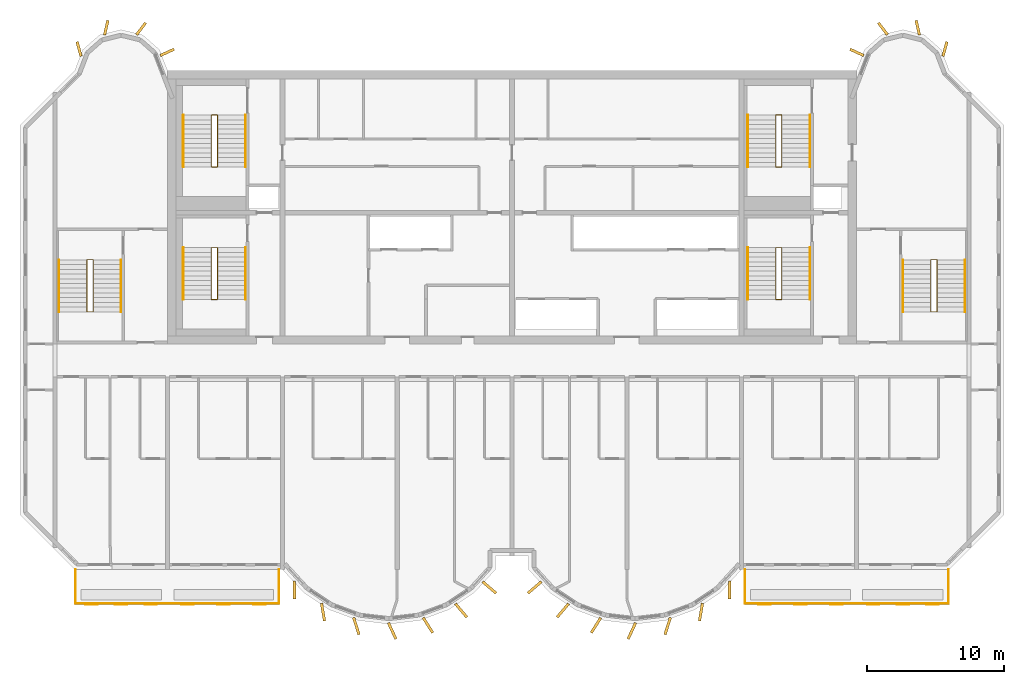
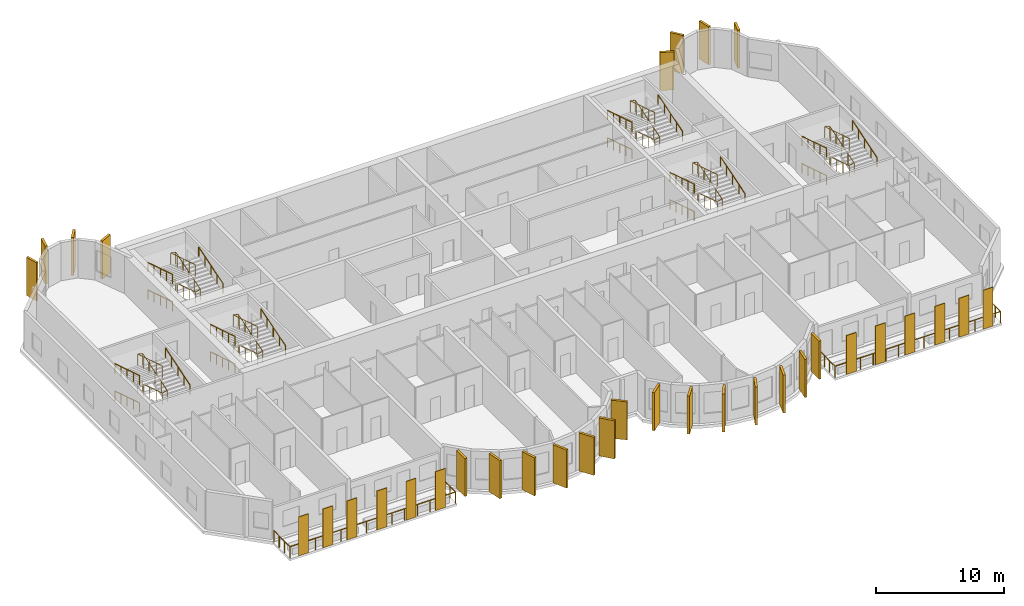
# One storey, part 10 of 11: 34 coverings, 26 railings.
"""IFC4 building model written with IfcOpenShell, lengths in metres."""

from ifc_helpers import new_model, si_unit, direction, frame, origin, origin_2d, place, context, subcontext, project, spatial, rectangle, circle, extrude, source, transform, mapped, material, layer, layer_set, material_profile, profile_set, type_object, element, save


model = new_model("IFC4")

# Units and contexts
model_context = context("Model", 3, precision=1e-05, world=origin(), true_north=direction((0.0, 1.0)))
body_context = subcontext(model_context, "Body", "Model", "MODEL_VIEW")
ifc_project = project(units=[si_unit("LENGTHUNIT", "METRE"), si_unit("AREAUNIT", "SQUARE_METRE"), si_unit("VOLUMEUNIT", "CUBIC_METRE"), si_unit("PLANEANGLEUNIT", "RADIAN"), si_unit("MASSUNIT", "GRAM", prefix="KILO")], contexts=[model_context])

# Site, building, storey
site_placement = place(None, origin())
site = spatial("IfcSite", under=ifc_project, at=site_placement, CompositionType="ELEMENT")
building_placement = place(site_placement, origin())
building = spatial("IfcBuilding", under=site, at=building_placement, Name="Vanashikhar Sky Hotel", CompositionType="ELEMENT")
storey_placement = place(building_placement, frame((0.0, 0.0, 256.89990234375)))
storey = spatial("IfcBuildingStorey", under=building, at=storey_placement, Name="L62", CompositionType="ELEMENT", Elevation=256.89990234375)

# Railings
ifc_material_1 = material(Name="Stainless steel 316", Category="steel")
railing_type_1 = type_object("IfcRailingType", Name="Balcony guard 1100", PredefinedType="GUARDRAIL", material=ifc_material_1)
shared_shape_1 = source(origin(), body_context, "Body", "SweptSolid", [
    extrude(circle(Radius=0.02392578125, at=origin_2d()), frame((0.0, 0.0, 1.076171875), z_axis=(0.0, -1.0, 0.0), x_axis=(1.0, 0.0, 0.0)), (0.0, 0.0, 1.0), 2.5),
    extrude(circle(Radius=0.02392578125, at=origin_2d()), frame((0.0, -2.5, 1.076171875), z_axis=(1.0, 0.0, 0.0), x_axis=(0.0, 1.0, 0.0)), (0.0, 0.0, 1.0), 14.880126953125),
    extrude(circle(Radius=0.02392578125, at=origin_2d()), frame((14.880126953125, -2.5, 1.076171875), z_axis=(0.0, 1.0, 0.0), x_axis=(-1.0, 0.0, 0.0)), (0.0, 0.0, 1.0), 2.5),
    extrude(circle(Radius=0.02099609375, at=origin_2d()), origin(), (0.0, 0.0, 1.0), 1.052001953125),
    extrude(circle(Radius=0.02099609375, at=origin_2d()), frame((0.0, -0.833251953125, 0.0)), (0.0, 0.0, 1.0), 1.052001953125),
    extrude(circle(Radius=0.02099609375, at=origin_2d()), frame((0.0, -1.666748046875, 0.0)), (0.0, 0.0, 1.0), 1.052001953125),
    extrude(circle(Radius=0.02099609375, at=origin_2d()), frame((0.0, -2.5, 0.0)), (0.0, 0.0, 1.0), 1.052001953125),
    extrude(circle(Radius=0.02099609375, at=origin_2d()), frame((1.14453125, -2.5, 0.0)), (0.0, 0.0, 1.0), 1.052001953125),
    extrude(circle(Radius=0.02099609375, at=origin_2d()), frame((2.289306640625, -2.5, 0.0)), (0.0, 0.0, 1.0), 1.052001953125),
    extrude(circle(Radius=0.02099609375, at=origin_2d()), frame((3.433837890625, -2.5, 0.0)), (0.0, 0.0, 1.0), 1.052001953125),
    extrude(circle(Radius=0.02099609375, at=origin_2d()), frame((4.57861328125, -2.5, 0.0)), (0.0, 0.0, 1.0), 1.052001953125),
    extrude(circle(Radius=0.02099609375, at=origin_2d()), frame((5.72314453125, -2.5, 0.0)), (0.0, 0.0, 1.0), 1.052001953125),
    extrude(circle(Radius=0.02099609375, at=origin_2d()), frame((6.86767578125, -2.5, 0.0)), (0.0, 0.0, 1.0), 1.052001953125),
    extrude(circle(Radius=0.02099609375, at=origin_2d()), frame((8.012451171875, -2.5, 0.0)), (0.0, 0.0, 1.0), 1.052001953125),
    extrude(circle(Radius=0.02099609375, at=origin_2d()), frame((9.156982421875, -2.5, 0.0)), (0.0, 0.0, 1.0), 1.052001953125),
    extrude(circle(Radius=0.02099609375, at=origin_2d()), frame((10.301513671875, -2.5, 0.0)), (0.0, 0.0, 1.0), 1.052001953125),
    extrude(circle(Radius=0.02099609375, at=origin_2d()), frame((11.4462890625, -2.5, 0.0)), (0.0, 0.0, 1.0), 1.052001953125),
    extrude(circle(Radius=0.02099609375, at=origin_2d()), frame((12.5908203125, -2.5, 0.0)), (0.0, 0.0, 1.0), 1.052001953125),
    extrude(circle(Radius=0.02099609375, at=origin_2d()), frame((13.735595703125, -2.5, 0.0)), (0.0, 0.0, 1.0), 1.052001953125),
    extrude(circle(Radius=0.02099609375, at=origin_2d()), frame((14.880126953125, -2.5, 0.0)), (0.0, 0.0, 1.0), 1.052001953125),
    extrude(circle(Radius=0.02099609375, at=origin_2d()), frame((14.880126953125, -1.666748046875, 0.0)), (0.0, 0.0, 1.0), 1.052001953125),
    extrude(circle(Radius=0.02099609375, at=origin_2d()), frame((14.880126953125, -0.833251953125, 0.0)), (0.0, 0.0, 1.0), 1.052001953125),
    extrude(circle(Radius=0.02099609375, at=origin_2d()), frame((14.880126953125, 0.0, 0.0)), (0.0, 0.0, 1.0), 1.052001953125),
])
for number, where, name in (
    (1, (18.4599609375, 5.5, -0.0498046875), "Balcony guard"),
    (2, (67.4599609375, 5.5, -0.0498046875), "Balcony guard"),
):
    element("IfcRailing", number, at=place(storey_placement, frame(where)), inside=storey, type_object=railing_type_1, Name=name, PredefinedType="GUARDRAIL", context=body_context, shape_type="MappedRepresentation", body=[
        mapped(shared_shape_1, transform((0.0, 0.0, 0.0), scale=1.0)),
    ])

# Coverings
ifc_material_2 = material(Name="Terracotta", Category="masonry")
ifc_layer = layer(ifc_material_2, 0.06005859375)
ifc_layer_set = layer_set([ifc_layer], Name="Terracotta baguette screen")
covering_type_1 = type_object("IfcCoveringType", Name="Terracotta baguette screen", PredefinedType="CLADDING", material=ifc_layer_set)
shared_shape_2 = source(origin(), body_context, "Body", "SweptSolid", [
    extrude(rectangle(XDim=0.89990234375, YDim=0.06005859375, at=origin_2d()), origin(), (0.0, 0.0, 1.0), 3.699951171875),
])
for number, where, z_axis, x_axis, name in (
    (3, (19.63330078125, 2.929931640625, -0.0498046875), (0.0, 0.0, 1.0), (1.0, 0.0, 0.0), "Terracotta screen"),
    (4, (21.800048828125, 2.929931640625, -0.0498046875), (0.0, 0.0, 1.0), (1.0, 0.0, 0.0), "Terracotta screen"),
    (5, (23.966796875, 2.929931640625, -0.0498046875), (0.0, 0.0, 1.0), (1.0, 0.0, 0.0), "Terracotta screen"),
    (6, (26.666748046875, 2.929931640625, -0.0498046875), (0.0, 0.0, 1.0), (1.0, 0.0, 0.0), "Terracotta screen"),
    (7, (29.300048828125, 2.929931640625, -0.0498046875), (0.0, 0.0, 1.0), (1.0, 0.0, 0.0), "Terracotta screen"),
    (8, (31.933349609375, 2.929931640625, -0.0498046875), (0.0, 0.0, 1.0), (1.0, 0.0, 0.0), "Terracotta screen"),
    (9, (68.86669921875, 2.929931640625, -0.0498046875), (0.0, 0.0, 1.0), (1.0, 0.0, 0.0), "Terracotta screen"),
    (10, (71.5, 2.929931640625, -0.0498046875), (0.0, 0.0, 1.0), (1.0, 0.0, 0.0), "Terracotta screen"),
    (11, (74.13330078125, 2.929931640625, -0.0498046875), (0.0, 0.0, 1.0), (1.0, 0.0, 0.0), "Terracotta screen"),
    (12, (76.833251953125, 2.929931640625, -0.0498046875), (0.0, 0.0, 1.0), (1.0, 0.0, 0.0), "Terracotta screen"),
    (13, (79.0, 2.929931640625, -0.0498046875), (0.0, 0.0, 1.0), (1.0, 0.0, 0.0), "Terracotta screen"),
    (14, (81.166748046875, 2.929931640625, -0.0498046875), (0.0, 0.0, 1.0), (1.0, 0.0, 0.0), "Terracotta screen"),
):
    element("IfcCovering", number, at=place(storey_placement, frame(where, z_axis=z_axis, x_axis=x_axis)), inside=storey, type_object=covering_type_1, Name=name, PredefinedType="CLADDING", context=body_context, shape_type="MappedRepresentation", body=[
        mapped(shared_shape_2, transform((0.0, 0.0, 0.0), scale=1.0)),
    ])
ifc_material_3 = material(Name="Concrete M60 dark", Category="concrete")
ifc_material_profile_1 = material_profile(ifc_material_3, rectangle(XDim=1.300048828125, YDim=0.199951171875, at=origin_2d()))
ifc_profile_set_1 = profile_set([ifc_material_profile_1], Name="Fin 1300 x 200")
covering_type_2 = type_object("IfcCoveringType", Name="Fin 1300 x 200", PredefinedType="CLADDING", material=ifc_profile_set_1)
shared_shape_3 = source(origin(), body_context, "Body", "SweptSolid", [
    extrude(rectangle(XDim=1.300048828125, YDim=0.199951171875, at=origin_2d()), origin(), (0.0, 0.0, 1.0), 3.6201171875),
])
for number, where, z_axis, x_axis, name in (
    (15, (34.482421875, 3.992919921875, 0.0), (0.0, 0.0, 1.0), (0.011588726826, -0.999932848451, 0.0), "Fin F1-1"),
    (16, (36.572509765625, 2.3779296875, 0.0), (0.0, 0.0, 1.0), (0.16989991575, -0.985461322746, 0.0), "Fin F1-2"),
    (17, (39.00830078125, 1.35693359375, 0.0), (0.0, 0.0, 1.0), (0.303966551867, -0.952682704444, 0.0), "Fin F1-3"),
    (18, (41.63232421875, 1.00146484375, 0.0), (0.0, 0.0, 1.0), (0.422618261741, -0.906307787037, 0.0), "Fin F1-4"),
    (19, (44.251953125, 1.416015625, 0.0), (0.0, 0.0, 1.0), (0.534411358496, -0.845224526331, 0.0), "Fin F1-5"),
    (20, (46.676025390625, 2.5, 0.0), (0.0, 0.0, 1.0), (0.645697609467, -0.763593214433, 0.0), "Fin F1-6"),
    (21, (48.7412109375, 4.1845703125, 0.0), (0.0, 0.0, 1.0), (0.758543912032, -0.65162192529, 0.0), "Fin F1-7"),
    (22, (52.058837890625, 4.1845703125, 0.0), (0.0, 0.0, 1.0), (-0.758543912032, -0.65162192529, 0.0), "Fin F2-1"),
    (23, (54.123779296875, 2.5, 0.0), (0.0, 0.0, 1.0), (-0.645697609467, -0.763593214433, 0.0), "Fin F2-2"),
    (24, (56.547119140625, 1.416015625, 0.0), (0.0, 0.0, 1.0), (-0.534411358496, -0.845224526331, 0.0), "Fin F2-3"),
    (25, (59.16748046875, 1.00146484375, 0.0), (0.0, 0.0, 1.0), (-0.422618261741, -0.906307787037, 0.0), "Fin F2-4"),
    (26, (61.790771484375, 1.35693359375, 0.0), (0.0, 0.0, 1.0), (-0.303966551867, -0.952682704444, 0.0), "Fin F2-5"),
    (27, (64.2275390625, 2.3779296875, 0.0), (0.0, 0.0, 1.0), (-0.16989991575, -0.985461322746, 0.0), "Fin F2-6"),
    (28, (66.317626953125, 3.992919921875, 0.0), (0.0, 0.0, 1.0), (-0.011588726826, -0.999932848451, 0.0), "Fin F2-7"),
):
    element("IfcCovering", number, at=place(storey_placement, frame(where, z_axis=z_axis, x_axis=x_axis)), inside=storey, type_object=covering_type_2, Name=name, PredefinedType="CLADDING", context=body_context, shape_type="MappedRepresentation", body=[
        mapped(shared_shape_3, transform((0.0, 0.0, 0.0), scale=1.0)),
    ])
ifc_material_profile_2 = material_profile(ifc_material_3, rectangle(XDim=1.10009765625, YDim=0.199951171875, at=origin_2d()))
ifc_profile_set_2 = profile_set([ifc_material_profile_2], Name="Rear lobe fin 1100 x 200")
covering_type_3 = type_object("IfcCoveringType", Name="Rear lobe fin 1100 x 200", PredefinedType="CLADDING", material=ifc_profile_set_2)
shared_shape_4 = source(origin(), body_context, "Body", "SweptSolid", [
    extrude(rectangle(XDim=1.10009765625, YDim=0.199951171875, at=origin_2d()), origin(), (0.0, 0.0, 1.0), 3.6201171875),
])
for number, where, z_axis, x_axis, name in (
    (29, (18.720703125, 43.580078125, 0.0), (0.0, 0.0, 1.0), (-0.262711264409, 0.964874495234, 0.0), "Fin R1-1"),
    (30, (20.710205078125, 45.1455078125, 0.0), (0.0, 0.0, 1.0), (0.224644935864, 0.974440687159, 0.0), "Fin R1-2"),
    (31, (23.261962890625, 45.06640625, 0.0), (0.0, 0.0, 1.0), (0.602065892195, 0.798446404874, 0.0), "Fin R1-3"),
    (32, (25.169677734375, 43.33447265625, 0.0), (0.0, 0.0, 1.0), (0.908004291068, 0.418960866193, 0.0), "Fin R1-4"),
    (33, (75.63037109375, 43.33447265625, 0.0), (0.0, 0.0, 1.0), (-0.908004291068, 0.418960866193, 0.0), "Fin R2-1"),
    (34, (77.5380859375, 45.06640625, 0.0), (0.0, 0.0, 1.0), (-0.602065892195, 0.798446404874, 0.0), "Fin R2-2"),
    (35, (80.08984375, 45.1455078125, 0.0), (0.0, 0.0, 1.0), (-0.224644935864, 0.974440687159, 0.0), "Fin R2-3"),
    (36, (82.0791015625, 43.580078125, 0.0), (0.0, 0.0, 1.0), (0.262711264409, 0.964874495234, 0.0), "Fin R2-4"),
):
    element("IfcCovering", number, at=place(storey_placement, frame(where, z_axis=z_axis, x_axis=x_axis)), inside=storey, type_object=covering_type_3, Name=name, PredefinedType="CLADDING", context=body_context, shape_type="MappedRepresentation", body=[
        mapped(shared_shape_4, transform((0.0, 0.0, 0.0), scale=1.0)),
    ])

# Railings
ifc_material_4 = material(Name="Steel S355", Category="steel")
railing_type_2 = type_object("IfcRailingType", Name="Stair handrail 900", PredefinedType="HANDRAIL", material=ifc_material_4)
shared_shape_5 = source(origin(), body_context, "Body", "SweptSolid", [
    extrude(circle(Radius=0.02392578125, at=origin_2d()), frame((0.0, 0.0, 0.8759765625), z_axis=(0.0, 0.95418390146, 0.299220791714), x_axis=(-1.0, 0.0, 0.0)), (0.0, 0.0, 1.0), 3.982421875),
    extrude(circle(Radius=0.02099609375, at=origin_2d()), origin(), (0.0, 0.0, 1.0), 0.851806640625),
    extrude(circle(Radius=0.02099609375, at=origin_2d()), frame((0.0, 0.949951171875, 0.2978515625)), (0.0, 0.0, 1.0), 0.851806640625),
    extrude(circle(Radius=0.02099609375, at=origin_2d()), frame((0.0, 1.89990234375, 0.595703125)), (0.0, 0.0, 1.0), 0.851806640625),
    extrude(circle(Radius=0.02099609375, at=origin_2d()), frame((0.0, 2.85009765625, 0.893798828125)), (0.0, 0.0, 1.0), 0.851806640625),
    extrude(circle(Radius=0.02099609375, at=origin_2d()), frame((0.0, 3.800048828125, 1.191650390625)), (0.0, 0.0, 1.0), 0.851806640625),
])
for number, where, name in (
    (37, (30.89990234375, 25.25, 1.408447265625), "Exit stair 1 handrail"),
    (38, (72.199951171875, 25.25, 1.408447265625), "Exit stair 2 handrail"),
    (39, (30.89990234375, 34.949951171875, 1.408447265625), "Exit stair 5 handrail"),
    (40, (72.199951171875, 34.949951171875, 1.408447265625), "Exit stair 6 handrail"),
):
    element("IfcRailing", number, at=place(storey_placement, frame(where)), inside=storey, type_object=railing_type_2, Name=name, PredefinedType="HANDRAIL", context=body_context, shape_type="MappedRepresentation", body=[
        mapped(shared_shape_5, transform((0.0, 0.0, 0.0), scale=1.0)),
    ])
shared_shape_6 = source(origin(), body_context, "Body", "SweptSolid", [
    extrude(circle(Radius=0.02392578125, at=origin_2d()), frame((0.0, 0.0, 0.8759765625), z_axis=(0.0, -0.95418390146, 0.299220791714), x_axis=(1.0, 0.0, 0.0)), (0.0, 0.0, 1.0), 3.982421875),
    extrude(circle(Radius=0.02099609375, at=origin_2d()), origin(), (0.0, 0.0, 1.0), 0.851806640625),
    extrude(circle(Radius=0.02099609375, at=origin_2d()), frame((0.0, -0.949951171875, 0.2978515625)), (0.0, 0.0, 1.0), 0.851806640625),
    extrude(circle(Radius=0.02099609375, at=origin_2d()), frame((0.0, -1.89990234375, 0.595703125)), (0.0, 0.0, 1.0), 0.851806640625),
    extrude(circle(Radius=0.02099609375, at=origin_2d()), frame((0.0, -2.85009765625, 0.893798828125)), (0.0, 0.0, 1.0), 0.851806640625),
    extrude(circle(Radius=0.02099609375, at=origin_2d()), frame((0.0, -3.800048828125, 1.191650390625)), (0.0, 0.0, 1.0), 0.851806640625),
])
for number, where, name in (
    (41, (26.35009765625, 29.050048828125, 0.1083984375), "Exit stair 1 handrail"),
    (42, (26.35009765625, 29.050048828125, 2.70849609375), "Exit stair 1 handrail"),
    (43, (67.64990234375, 29.050048828125, 0.1083984375), "Exit stair 2 handrail"),
    (44, (67.64990234375, 29.050048828125, 2.70849609375), "Exit stair 2 handrail"),
    (45, (26.35009765625, 38.75, 0.1083984375), "Exit stair 5 handrail"),
    (46, (26.35009765625, 38.75, 2.70849609375), "Exit stair 5 handrail"),
    (47, (67.64990234375, 38.75, 0.1083984375), "Exit stair 6 handrail"),
    (48, (67.64990234375, 38.75, 2.70849609375), "Exit stair 6 handrail"),
):
    element("IfcRailing", number, at=place(storey_placement, frame(where)), inside=storey, type_object=railing_type_2, Name=name, PredefinedType="HANDRAIL", context=body_context, shape_type="MappedRepresentation", body=[
        mapped(shared_shape_6, transform((0.0, 0.0, 0.0), scale=1.0)),
    ])
railing_type_3 = type_object("IfcRailingType", Name="Stair guard 1100", PredefinedType="GUARDRAIL", material=ifc_material_4)
shared_shape_7 = source(origin(), body_context, "Body", "SweptSolid", [
    extrude(circle(Radius=0.02392578125, at=origin_2d()), frame((0.0, 0.0, 1.076171875), z_axis=(-0.972214749574, 0.0, 0.234090753151), x_axis=(0.0, -1.0, 0.0)), (0.0, 0.0, 1.0), 0.463134765625),
    extrude(circle(Radius=0.02392578125, at=origin_2d()), frame((-0.4501953125, 0.0, 1.1845703125), z_axis=(0.0, -0.95418390146, 0.299220791714), x_axis=(1.0, 0.0, 0.0)), (0.0, 0.0, 1.0), 3.982421875),
    extrude(circle(Radius=0.02392578125, at=origin_2d()), frame((-0.4501953125, -3.800048828125, 2.3759765625), z_axis=(0.972214749574, 0.0, 0.234090753151), x_axis=(0.0, 1.0, 0.0)), (0.0, 0.0, 1.0), 0.463134765625),
    extrude(circle(Radius=0.02392578125, at=origin_2d()), frame((0.0, -3.800048828125, 2.484375), z_axis=(0.0, 0.95418390146, 0.299220791714), x_axis=(-1.0, 0.0, 0.0)), (0.0, 0.0, 1.0), 3.982421875),
    extrude(circle(Radius=0.02392578125, at=origin_2d()), frame((0.0, 0.0, 3.67626953125), z_axis=(-0.972214749574, 0.0, 0.234090753151), x_axis=(0.0, -1.0, 0.0)), (0.0, 0.0, 1.0), 0.463134765625),
    extrude(circle(Radius=0.02392578125, at=origin_2d()), frame((-0.4501953125, 0.0, 3.78466796875), z_axis=(0.0, -0.95418390146, 0.299220791714), x_axis=(1.0, 0.0, 0.0)), (0.0, 0.0, 1.0), 3.982421875),
    extrude(circle(Radius=0.02099609375, at=origin_2d()), origin(), (0.0, 0.0, 1.0), 1.052001953125),
    extrude(circle(Radius=0.02099609375, at=origin_2d()), frame((-0.4501953125, 0.0, 0.1083984375)), (0.0, 0.0, 1.0), 1.052001953125),
    extrude(circle(Radius=0.02099609375, at=origin_2d()), frame((-0.4501953125, -0.949951171875, 0.40625)), (0.0, 0.0, 1.0), 1.052001953125),
    extrude(circle(Radius=0.02099609375, at=origin_2d()), frame((-0.4501953125, -1.89990234375, 0.7041015625)), (0.0, 0.0, 1.0), 1.052001953125),
    extrude(circle(Radius=0.02099609375, at=origin_2d()), frame((-0.4501953125, -2.85009765625, 1.002197265625)), (0.0, 0.0, 1.0), 1.052001953125),
    extrude(circle(Radius=0.02099609375, at=origin_2d()), frame((-0.4501953125, -3.800048828125, 1.300048828125)), (0.0, 0.0, 1.0), 1.052001953125),
    extrude(circle(Radius=0.02099609375, at=origin_2d()), frame((0.0, -3.800048828125, 1.408447265625)), (0.0, 0.0, 1.0), 1.052001953125),
    extrude(circle(Radius=0.02099609375, at=origin_2d()), frame((0.0, -2.85009765625, 1.706298828125)), (0.0, 0.0, 1.0), 1.052001953125),
    extrude(circle(Radius=0.02099609375, at=origin_2d()), frame((0.0, -1.89990234375, 2.00439453125)), (0.0, 0.0, 1.0), 1.052001953125),
    extrude(circle(Radius=0.02099609375, at=origin_2d()), frame((0.0, -0.949951171875, 2.30224609375)), (0.0, 0.0, 1.0), 1.052001953125),
    extrude(circle(Radius=0.02099609375, at=origin_2d()), frame((0.0, 0.0, 2.60009765625)), (0.0, 0.0, 1.0), 1.052001953125),
    extrude(circle(Radius=0.02099609375, at=origin_2d()), frame((-0.4501953125, 0.0, 2.70849609375)), (0.0, 0.0, 1.0), 1.052001953125),
    extrude(circle(Radius=0.02099609375, at=origin_2d()), frame((-0.4501953125, -0.949951171875, 3.00634765625)), (0.0, 0.0, 1.0), 1.052001953125),
    extrude(circle(Radius=0.02099609375, at=origin_2d()), frame((-0.4501953125, -1.89990234375, 3.30419921875)), (0.0, 0.0, 1.0), 1.052001953125),
    extrude(circle(Radius=0.02099609375, at=origin_2d()), frame((-0.4501953125, -2.85009765625, 3.602294921875)), (0.0, 0.0, 1.0), 1.052001953125),
    extrude(circle(Radius=0.02099609375, at=origin_2d()), frame((-0.4501953125, -3.800048828125, 3.900146484375)), (0.0, 0.0, 1.0), 1.052001953125),
])
for number, where, name in (
    (49, (28.85009765625, 29.050048828125, 0.0), "Exit stair 1 guard"),
    (50, (28.85009765625, 38.75, 0.0), "Exit stair 5 guard"),
):
    element("IfcRailing", number, at=place(storey_placement, frame(where)), inside=storey, type_object=railing_type_3, Name=name, PredefinedType="GUARDRAIL", context=body_context, shape_type="MappedRepresentation", body=[
        mapped(shared_shape_7, transform((0.0, 0.0, 0.0), scale=1.0)),
    ])
shared_shape_8 = source(origin(), body_context, "Body", "SweptSolid", [
    extrude(circle(Radius=0.02392578125, at=origin_2d()), frame((0.0, 0.0, 1.076171875), z_axis=(-0.972185835864, 0.0, 0.234210803648), x_axis=(0.0, -1.0, 0.0)), (0.0, 0.0, 1.0), 0.462890625),
    extrude(circle(Radius=0.02392578125, at=origin_2d()), frame((-0.449951171875, 0.0, 1.1845703125), z_axis=(0.0, -0.95418390146, 0.299220791714), x_axis=(1.0, 0.0, 0.0)), (0.0, 0.0, 1.0), 3.982421875),
    extrude(circle(Radius=0.02392578125, at=origin_2d()), frame((-0.449951171875, -3.800048828125, 2.3759765625), z_axis=(0.972185835864, 0.0, 0.234210803648), x_axis=(0.0, 1.0, 0.0)), (0.0, 0.0, 1.0), 0.462890625),
    extrude(circle(Radius=0.02392578125, at=origin_2d()), frame((0.0, -3.800048828125, 2.484375), z_axis=(0.0, 0.95418390146, 0.299220791714), x_axis=(-1.0, 0.0, 0.0)), (0.0, 0.0, 1.0), 3.982421875),
    extrude(circle(Radius=0.02392578125, at=origin_2d()), frame((0.0, 0.0, 3.67626953125), z_axis=(-0.972185835864, 0.0, 0.234210803648), x_axis=(0.0, -1.0, 0.0)), (0.0, 0.0, 1.0), 0.462890625),
    extrude(circle(Radius=0.02392578125, at=origin_2d()), frame((-0.449951171875, 0.0, 3.78466796875), z_axis=(0.0, -0.95418390146, 0.299220791714), x_axis=(1.0, 0.0, 0.0)), (0.0, 0.0, 1.0), 3.982421875),
    extrude(circle(Radius=0.02099609375, at=origin_2d()), origin(), (0.0, 0.0, 1.0), 1.052001953125),
    extrude(circle(Radius=0.02099609375, at=origin_2d()), frame((-0.449951171875, 0.0, 0.1083984375)), (0.0, 0.0, 1.0), 1.052001953125),
    extrude(circle(Radius=0.02099609375, at=origin_2d()), frame((-0.449951171875, -0.949951171875, 0.40625)), (0.0, 0.0, 1.0), 1.052001953125),
    extrude(circle(Radius=0.02099609375, at=origin_2d()), frame((-0.449951171875, -1.89990234375, 0.7041015625)), (0.0, 0.0, 1.0), 1.052001953125),
    extrude(circle(Radius=0.02099609375, at=origin_2d()), frame((-0.449951171875, -2.85009765625, 1.002197265625)), (0.0, 0.0, 1.0), 1.052001953125),
    extrude(circle(Radius=0.02099609375, at=origin_2d()), frame((-0.449951171875, -3.800048828125, 1.300048828125)), (0.0, 0.0, 1.0), 1.052001953125),
    extrude(circle(Radius=0.02099609375, at=origin_2d()), frame((0.0, -3.800048828125, 1.408447265625)), (0.0, 0.0, 1.0), 1.052001953125),
    extrude(circle(Radius=0.02099609375, at=origin_2d()), frame((0.0, -2.85009765625, 1.706298828125)), (0.0, 0.0, 1.0), 1.052001953125),
    extrude(circle(Radius=0.02099609375, at=origin_2d()), frame((0.0, -1.89990234375, 2.00439453125)), (0.0, 0.0, 1.0), 1.052001953125),
    extrude(circle(Radius=0.02099609375, at=origin_2d()), frame((0.0, -0.949951171875, 2.30224609375)), (0.0, 0.0, 1.0), 1.052001953125),
    extrude(circle(Radius=0.02099609375, at=origin_2d()), frame((0.0, 0.0, 2.60009765625)), (0.0, 0.0, 1.0), 1.052001953125),
    extrude(circle(Radius=0.02099609375, at=origin_2d()), frame((-0.449951171875, 0.0, 2.70849609375)), (0.0, 0.0, 1.0), 1.052001953125),
    extrude(circle(Radius=0.02099609375, at=origin_2d()), frame((-0.449951171875, -0.949951171875, 3.00634765625)), (0.0, 0.0, 1.0), 1.052001953125),
    extrude(circle(Radius=0.02099609375, at=origin_2d()), frame((-0.449951171875, -1.89990234375, 3.30419921875)), (0.0, 0.0, 1.0), 1.052001953125),
    extrude(circle(Radius=0.02099609375, at=origin_2d()), frame((-0.449951171875, -2.85009765625, 3.602294921875)), (0.0, 0.0, 1.0), 1.052001953125),
    extrude(circle(Radius=0.02099609375, at=origin_2d()), frame((-0.449951171875, -3.800048828125, 3.900146484375)), (0.0, 0.0, 1.0), 1.052001953125),
])
for number, where, name in (
    (51, (70.14990234375, 29.050048828125, 0.0), "Exit stair 2 guard"),
    (52, (70.14990234375, 38.75, 0.0), "Exit stair 6 guard"),
):
    element("IfcRailing", number, at=place(storey_placement, frame(where)), inside=storey, type_object=railing_type_3, Name=name, PredefinedType="GUARDRAIL", context=body_context, shape_type="MappedRepresentation", body=[
        mapped(shared_shape_8, transform((0.0, 0.0, 0.0), scale=1.0)),
    ])
shared_shape_9 = source(origin(), body_context, "Body", "SweptSolid", [
    extrude(circle(Radius=0.02392578125, at=origin_2d()), frame((0.0, 0.0, 0.8759765625), z_axis=(0.0, 0.954178412317, 0.299238295459), x_axis=(-1.0, 0.0, 0.0)), (0.0, 0.0, 1.0), 3.982177734375),
    extrude(circle(Radius=0.02099609375, at=origin_2d()), origin(), (0.0, 0.0, 1.0), 0.851806640625),
    extrude(circle(Radius=0.02099609375, at=origin_2d()), frame((0.0, 0.949951171875, 0.2978515625)), (0.0, 0.0, 1.0), 0.851806640625),
    extrude(circle(Radius=0.02099609375, at=origin_2d()), frame((0.0, 1.89990234375, 0.595703125)), (0.0, 0.0, 1.0), 0.851806640625),
    extrude(circle(Radius=0.02099609375, at=origin_2d()), frame((0.0, 2.849853515625, 0.893798828125)), (0.0, 0.0, 1.0), 0.851806640625),
    extrude(circle(Radius=0.02099609375, at=origin_2d()), frame((0.0, 3.7998046875, 1.191650390625)), (0.0, 0.0, 1.0), 0.851806640625),
])
for number, where, name in (
    (53, (21.800048828125, 24.35009765625, 1.408447265625), "Exit stair 3 handrail"),
    (54, (83.550048828125, 24.35009765625, 1.408447265625), "Exit stair 4 handrail"),
):
    element("IfcRailing", number, at=place(storey_placement, frame(where)), inside=storey, type_object=railing_type_2, Name=name, PredefinedType="HANDRAIL", context=body_context, shape_type="MappedRepresentation", body=[
        mapped(shared_shape_9, transform((0.0, 0.0, 0.0), scale=1.0)),
    ])
shared_shape_10 = source(origin(), body_context, "Body", "SweptSolid", [
    extrude(circle(Radius=0.02392578125, at=origin_2d()), frame((0.0, 0.0, 0.8759765625), z_axis=(0.0, -0.954178412317, 0.299238295459), x_axis=(1.0, 0.0, 0.0)), (0.0, 0.0, 1.0), 3.982177734375),
    extrude(circle(Radius=0.02099609375, at=origin_2d()), origin(), (0.0, 0.0, 1.0), 0.851806640625),
    extrude(circle(Radius=0.02099609375, at=origin_2d()), frame((0.0, -0.949951171875, 0.2978515625)), (0.0, 0.0, 1.0), 0.851806640625),
    extrude(circle(Radius=0.02099609375, at=origin_2d()), frame((0.0, -1.89990234375, 0.595703125)), (0.0, 0.0, 1.0), 0.851806640625),
    extrude(circle(Radius=0.02099609375, at=origin_2d()), frame((0.0, -2.849853515625, 0.893798828125)), (0.0, 0.0, 1.0), 0.851806640625),
    extrude(circle(Radius=0.02099609375, at=origin_2d()), frame((0.0, -3.7998046875, 1.191650390625)), (0.0, 0.0, 1.0), 0.851806640625),
])
for number, where, name in (
    (55, (17.25, 28.14990234375, 0.1083984375), "Exit stair 3 handrail"),
    (56, (17.25, 28.14990234375, 2.70849609375), "Exit stair 3 handrail"),
    (57, (79.0, 28.14990234375, 0.1083984375), "Exit stair 4 handrail"),
    (58, (79.0, 28.14990234375, 2.70849609375), "Exit stair 4 handrail"),
):
    element("IfcRailing", number, at=place(storey_placement, frame(where)), inside=storey, type_object=railing_type_2, Name=name, PredefinedType="HANDRAIL", context=body_context, shape_type="MappedRepresentation", body=[
        mapped(shared_shape_10, transform((0.0, 0.0, 0.0), scale=1.0)),
    ])
shared_shape_11 = source(origin(), body_context, "Body", "SweptSolid", [
    extrude(circle(Radius=0.02392578125, at=origin_2d()), frame((0.0, 0.0, 1.076171875), z_axis=(-0.972185835864, 0.0, 0.234210803648), x_axis=(0.0, -1.0, 0.0)), (0.0, 0.0, 1.0), 0.462890625),
    extrude(circle(Radius=0.02392578125, at=origin_2d()), frame((-0.449951171875, 0.0, 1.1845703125), z_axis=(0.0, -0.954178412317, 0.299238295459), x_axis=(1.0, 0.0, 0.0)), (0.0, 0.0, 1.0), 3.982177734375),
    extrude(circle(Radius=0.02392578125, at=origin_2d()), frame((-0.449951171875, -3.7998046875, 2.3759765625), z_axis=(0.972185835864, 0.0, 0.234210803648), x_axis=(0.0, 1.0, 0.0)), (0.0, 0.0, 1.0), 0.462890625),
    extrude(circle(Radius=0.02392578125, at=origin_2d()), frame((0.0, -3.7998046875, 2.484375), z_axis=(0.0, 0.954178412317, 0.299238295459), x_axis=(-1.0, 0.0, 0.0)), (0.0, 0.0, 1.0), 3.982177734375),
    extrude(circle(Radius=0.02392578125, at=origin_2d()), frame((0.0, 0.0, 3.67626953125), z_axis=(-0.972185835864, 0.0, 0.234210803648), x_axis=(0.0, -1.0, 0.0)), (0.0, 0.0, 1.0), 0.462890625),
    extrude(circle(Radius=0.02392578125, at=origin_2d()), frame((-0.449951171875, 0.0, 3.78466796875), z_axis=(0.0, -0.954178412317, 0.299238295459), x_axis=(1.0, 0.0, 0.0)), (0.0, 0.0, 1.0), 3.982177734375),
    extrude(circle(Radius=0.02099609375, at=origin_2d()), origin(), (0.0, 0.0, 1.0), 1.052001953125),
    extrude(circle(Radius=0.02099609375, at=origin_2d()), frame((-0.449951171875, 0.0, 0.1083984375)), (0.0, 0.0, 1.0), 1.052001953125),
    extrude(circle(Radius=0.02099609375, at=origin_2d()), frame((-0.449951171875, -0.949951171875, 0.40625)), (0.0, 0.0, 1.0), 1.052001953125),
    extrude(circle(Radius=0.02099609375, at=origin_2d()), frame((-0.449951171875, -1.89990234375, 0.7041015625)), (0.0, 0.0, 1.0), 1.052001953125),
    extrude(circle(Radius=0.02099609375, at=origin_2d()), frame((-0.449951171875, -2.849853515625, 1.002197265625)), (0.0, 0.0, 1.0), 1.052001953125),
    extrude(circle(Radius=0.02099609375, at=origin_2d()), frame((-0.449951171875, -3.7998046875, 1.300048828125)), (0.0, 0.0, 1.0), 1.052001953125),
    extrude(circle(Radius=0.02099609375, at=origin_2d()), frame((0.0, -3.7998046875, 1.408447265625)), (0.0, 0.0, 1.0), 1.052001953125),
    extrude(circle(Radius=0.02099609375, at=origin_2d()), frame((0.0, -2.849853515625, 1.706298828125)), (0.0, 0.0, 1.0), 1.052001953125),
    extrude(circle(Radius=0.02099609375, at=origin_2d()), frame((0.0, -1.89990234375, 2.00439453125)), (0.0, 0.0, 1.0), 1.052001953125),
    extrude(circle(Radius=0.02099609375, at=origin_2d()), frame((0.0, -0.949951171875, 2.30224609375)), (0.0, 0.0, 1.0), 1.052001953125),
    extrude(circle(Radius=0.02099609375, at=origin_2d()), frame((0.0, 0.0, 2.60009765625)), (0.0, 0.0, 1.0), 1.052001953125),
    extrude(circle(Radius=0.02099609375, at=origin_2d()), frame((-0.449951171875, 0.0, 2.70849609375)), (0.0, 0.0, 1.0), 1.052001953125),
    extrude(circle(Radius=0.02099609375, at=origin_2d()), frame((-0.449951171875, -0.949951171875, 3.00634765625)), (0.0, 0.0, 1.0), 1.052001953125),
    extrude(circle(Radius=0.02099609375, at=origin_2d()), frame((-0.449951171875, -1.89990234375, 3.30419921875)), (0.0, 0.0, 1.0), 1.052001953125),
    extrude(circle(Radius=0.02099609375, at=origin_2d()), frame((-0.449951171875, -2.849853515625, 3.602294921875)), (0.0, 0.0, 1.0), 1.052001953125),
    extrude(circle(Radius=0.02099609375, at=origin_2d()), frame((-0.449951171875, -3.7998046875, 3.900146484375)), (0.0, 0.0, 1.0), 1.052001953125),
])
for number, where, name in (
    (59, (19.75, 28.14990234375, 0.0), "Exit stair 3 guard"),
    (60, (81.5, 28.14990234375, 0.0), "Exit stair 4 guard"),
):
    element("IfcRailing", number, at=place(storey_placement, frame(where)), inside=storey, type_object=railing_type_3, Name=name, PredefinedType="GUARDRAIL", context=body_context, shape_type="MappedRepresentation", body=[
        mapped(shared_shape_11, transform((0.0, 0.0, 0.0), scale=1.0)),
    ])

save(model, "model.ifc")
